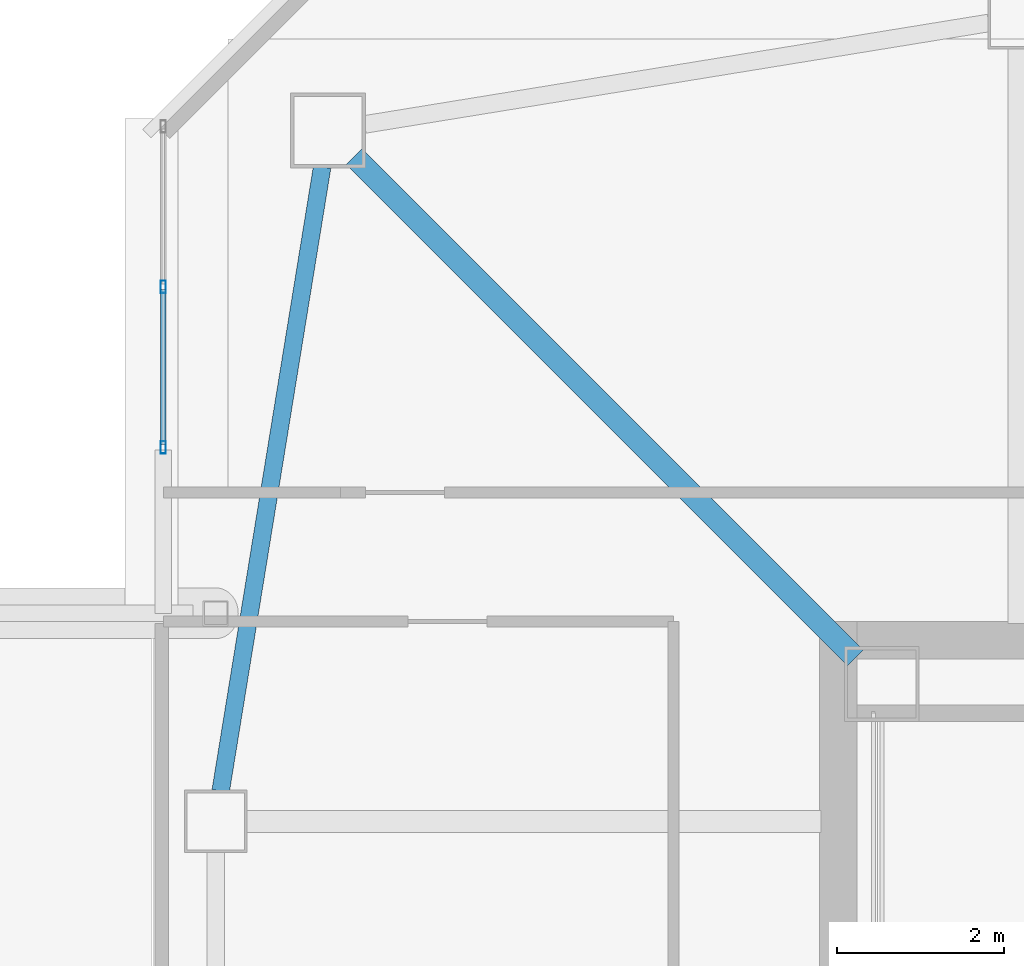
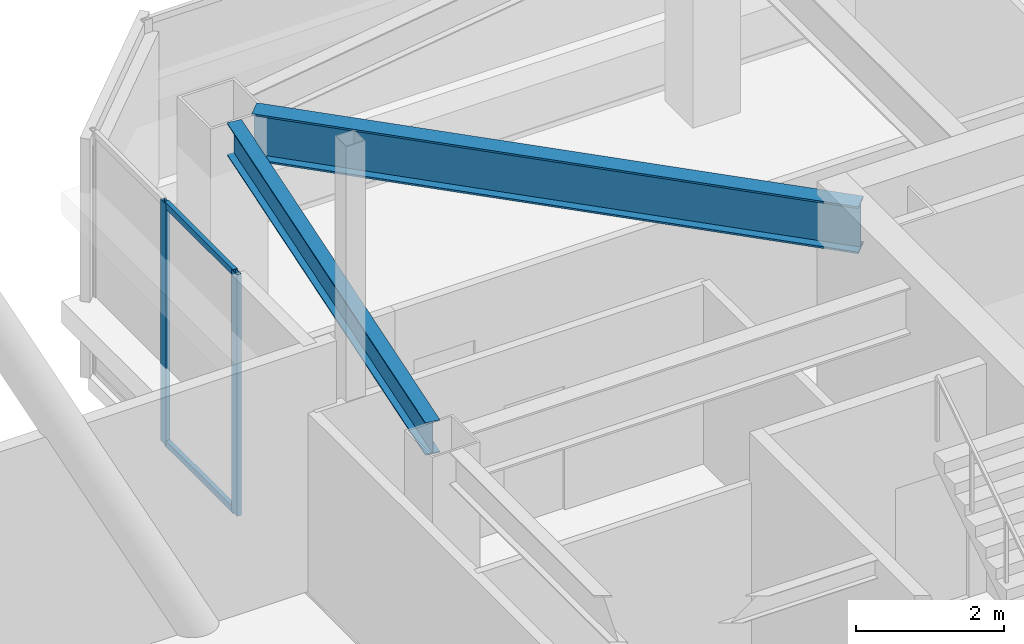
# One storey, part 9 of 53: 4 members, 2 beams, 1 element without a shape of its own.
"""IFC4 building model written with IfcOpenShell, lengths in metres."""

import ifcopenshell
import ifcopenshell.guid

model = None  # the IFC model being written
_history = None  # IfcOwnerHistory: only IFC2X3 demands one
_inside = {}  # id of a spatial element -> (the spatial element, [elements in it])
_under = {}  # id of a project, library or spatial element -> (it, [spatial elements below it])
_declared = {}  # id of a project -> (the project, [libraries it declares])
_typed = {}  # id of a type object -> (the type object, [elements of that type])
_made_of = {}  # id of a material, layer set ... -> (it, [elements and type objects made of it])


def new_model(schema):
    """Start an empty IFC model of exactly this schema.

    Asked for "IFC4X3", IfcOpenShell would pick the latest addendum, in which some entities
    have other attributes; the version numbers below select the first issue.
    IFC2X3 requires an IfcOwnerHistory on every rooted entity: one is made here for all.
    """
    global model, _history
    if schema == "IFC4X3":
        model = ifcopenshell.file(schema_version=(4, 3, 0, 0))
    else:
        model = ifcopenshell.file(schema=schema)
    _inside.clear()
    _under.clear()
    _declared.clear()
    _typed.clear()
    _made_of.clear()
    _history = None
    if model.schema == "IFC2X3":
        org = make("IfcOrganization", Name="unknown")
        user = make(
            "IfcPersonAndOrganization",
            ThePerson=make("IfcPerson", FamilyName="unknown"),
            TheOrganization=org,
        )
        app = make(
            "IfcApplication",
            ApplicationDeveloper=org,
            Version="unknown",
            ApplicationFullName="unknown",
            ApplicationIdentifier="unknown",
        )
        _history = make(
            "IfcOwnerHistory",
            OwningUser=user,
            OwningApplication=app,
            ChangeAction="ADDED",
            CreationDate=0,
        )
    return model


def make(cls, **values):
    """One entity of the class cls with the attributes given. An attribute that is None is left unset."""
    return model.create_entity(
        cls, **{name: value for name, value in values.items() if value is not None}
    )


def rooted(cls, **values):
    """An entity with a GlobalId (a new one), such as an element, a storey or a relation."""
    return make(cls, GlobalId=ifcopenshell.guid.new(), OwnerHistory=_history, **values)


def si_unit(unit_type, name, prefix=None):
    """IfcSIUnit, for example si_unit("LENGTHUNIT", "METRE", prefix="MILLI")."""
    return make("IfcSIUnit", UnitType=unit_type, Prefix=prefix, Name=name)


def assignment(units):
    """IfcUnitAssignment: the units of a project."""
    return None if units is None else make("IfcUnitAssignment", Units=units)


def point(xyz):
    """IfcCartesianPoint."""
    return None if xyz is None else make("IfcCartesianPoint", Coordinates=xyz)


def direction(xyz):
    """IfcDirection."""
    return None if xyz is None else make("IfcDirection", DirectionRatios=xyz)


def frame(location, z_axis=None, x_axis=None):
    """IfcAxis2Placement3D, a coordinate frame: its origin and axes. An axis left out is left unset."""
    return make(
        "IfcAxis2Placement3D",
        Location=point(location),
        Axis=direction(z_axis),
        RefDirection=direction(x_axis),
    )


def frame_2d(location, x_axis=None):
    """IfcAxis2Placement2D, a coordinate frame in the plane: its origin and x axis."""
    return make(
        "IfcAxis2Placement2D", Location=point(location), RefDirection=direction(x_axis)
    )


def origin():
    """The frame at (0, 0, 0) with its axes left unset."""
    return frame((0.0, 0.0, 0.0))


def origin_2d():
    """The frame at (0, 0) in the plane with its x axis left unset."""
    return frame_2d((0.0, 0.0))


def place(relative_to, where):
    """IfcLocalPlacement: puts the frame where relative to a parent placement (None: the world)."""
    return make(
        "IfcLocalPlacement", PlacementRelTo=relative_to, RelativePlacement=where
    )


def context(
    kind, dimensions, precision=None, world=None, true_north=None, identifier=None
):
    """IfcGeometricRepresentationContext, for example the 3D "Model" context."""
    return make(
        "IfcGeometricRepresentationContext",
        ContextIdentifier=identifier,
        ContextType=kind,
        CoordinateSpaceDimension=dimensions,
        Precision=precision,
        WorldCoordinateSystem=world,
        TrueNorth=true_north,
    )


def subcontext(parent, identifier, kind, view, scale=None):
    """IfcGeometricRepresentationSubContext, for example "Body" below "Model"."""
    return make(
        "IfcGeometricRepresentationSubContext",
        ContextIdentifier=identifier,
        ContextType=kind,
        ParentContext=parent,
        TargetScale=scale,
        TargetView=view,
    )


def project(units=None, contexts=None):
    """IfcProject with its units and contexts."""
    return rooted(
        "IfcProject",
        Name="project",
        RepresentationContexts=contexts,
        UnitsInContext=assignment(units),
    )


def spatial(cls, under=None, at=None, **own):
    """A site, building, storey or space (cls), placed at a placement, below another one or the project."""
    s = rooted(cls, ObjectPlacement=at, **own)
    if under is not None:
        _under.setdefault(under.id(), (under, []))[1].append(s)
    return s


def profile(cls, at=None, kind="AREA", **sizes):
    """A parametric profile (cls). Its sizes go by their IFC names, for example OverallWidth=200.0."""
    return make(cls, ProfileType=kind, Position=at, **sizes)


def hollow_rectangle(**sizes):
    """IfcRectangleHollowProfileDef."""
    return profile("IfcRectangleHollowProfileDef", **sizes)


def i_section(**sizes):
    """IfcIShapeProfileDef."""
    return profile("IfcIShapeProfileDef", **sizes)


def extrude(swept, where, along, depth):
    """IfcExtrudedAreaSolid: the profile swept, set in the frame where, extruded along a direction by depth."""
    return make(
        "IfcExtrudedAreaSolid",
        SweptArea=swept,
        Position=where,
        ExtrudedDirection=direction(along),
        Depth=depth,
    )


def shape(context_of_items, identifier, shape_type, items):
    """IfcShapeRepresentation: the items that make up one representation, for example the "Body"."""
    return make(
        "IfcShapeRepresentation",
        ContextOfItems=context_of_items,
        RepresentationIdentifier=identifier,
        RepresentationType=shape_type,
        Items=items,
    )


def material(Name=None, Category=None):
    """IfcMaterial."""
    return make("IfcMaterial", Name=Name, Category=Category)


def material_profile(
    of_material, cross_section, Name=None, Category=None, Priority=None
):
    """IfcMaterialProfile: a cross section and its material."""
    return make(
        "IfcMaterialProfile",
        Name=Name,
        Material=of_material,
        Profile=cross_section,
        Priority=Priority,
        Category=Category,
    )


def profile_set(profiles, Name=None, composite=None):
    """IfcMaterialProfileSet."""
    return make(
        "IfcMaterialProfileSet",
        Name=Name,
        MaterialProfiles=profiles,
        CompositeProfile=composite,
    )


def made_of(thing, what):
    """Note that an element or type object is made of a material, layer set ...; save() writes the relation."""
    if what is not None:
        _made_of.setdefault(what.id(), (what, []))[1].append(thing)
    return thing


def type_object(cls, material=None, **own):
    """A type object (cls), such as IfcWallType, which elements share."""
    return made_of(rooted(cls, **own), material)


def element(
    cls,
    number,
    at=None,
    inside=None,
    cuts=None,
    type_object=None,
    material=None,
    context=None,
    identifier="Body",
    shape_type=None,
    held_by="IfcProductDefinitionShape",
    body=None,
    shapes=None,
    **own,
):
    """One element of the class cls, such as IfcWall. Its Tag is "e" and its number.

    at: its placement. inside: the storey or other place that contains it. cuts: it is an
    opening in that element (IfcRelVoidsElement). A single representation is given by context,
    identifier, shape_type and body (its items); several are given by shapes. held_by: the class
    of the entity that holds the representations. save() writes the other relations.
    """
    e = rooted(cls, Tag="e%d" % number, ObjectPlacement=at, **own)
    if body is not None:
        shapes = [shape(context, identifier, shape_type, body)]
    if shapes is not None:
        e.Representation = make(held_by, Representations=shapes)
    if inside is not None:
        _inside.setdefault(inside.id(), (inside, []))[1].append(e)
    if cuts is not None:
        rooted(
            "IfcRelVoidsElement", RelatingBuildingElement=cuts, RelatedOpeningElement=e
        )
    if type_object is not None:
        _typed.setdefault(type_object.id(), (type_object, []))[1].append(e)
    return made_of(e, material)


def aggregate(whole, parts):
    """IfcRelAggregates: a whole, such as a stair, and the parts it consists of."""
    return rooted("IfcRelAggregates", RelatingObject=whole, RelatedObjects=parts)


def save(model, path):
    """Write the relations noted so far, then the file.

    IfcRelAggregates (storeys below a building ...), IfcRelContainedInSpatialStructure (elements
    in a storey), IfcRelDefinesByType, IfcRelAssociatesMaterial and IfcRelDeclares: one each for
    every whole, place, type object, material and project.
    """
    for whole, parts in _under.values():
        aggregate(whole, parts)
    for where, things in _inside.values():
        rooted(
            "IfcRelContainedInSpatialStructure",
            RelatedElements=things,
            RelatingStructure=where,
        )
    for kind, things in _typed.values():
        rooted("IfcRelDefinesByType", RelatedObjects=things, RelatingType=kind)
    for what, things in _made_of.values():
        rooted("IfcRelAssociatesMaterial", RelatedObjects=things, RelatingMaterial=what)
    for by, libraries in _declared.values():
        rooted("IfcRelDeclares", RelatingContext=by, RelatedDefinitions=libraries)
    model.write(path)


model = new_model("IFC4")

# Units and contexts
model_context = context("Model", 3, precision=1e-05, world=origin(), true_north=direction((0.0, 1.0)))
body_context = subcontext(model_context, "Body", "Model", "MODEL_VIEW")
ifc_project = project(units=[si_unit("LENGTHUNIT", "METRE"), si_unit("AREAUNIT", "SQUARE_METRE"), si_unit("VOLUMEUNIT", "CUBIC_METRE"), si_unit("PLANEANGLEUNIT", "RADIAN"), si_unit("MASSUNIT", "GRAM", prefix="KILO")], contexts=[model_context])

# Site, building, storey
site_placement = place(None, origin())
site = spatial("IfcSite", under=ifc_project, at=site_placement, CompositionType="ELEMENT")
building_placement = place(site_placement, origin())
building = spatial("IfcBuilding", under=site, at=building_placement, Name="Tashvorn Skyway Center", CompositionType="ELEMENT")
storey_placement = place(building_placement, frame((0.0, 0.0, 255.39990234375)))
storey = spatial("IfcBuildingStorey", under=building, at=storey_placement, Name="L69", CompositionType="ELEMENT", Elevation=255.39990234375)

# Beams
ifc_material_1 = material(Name="Steel ASTM A992 Grade 50", Category="steel")
ifc_material_profile_1 = material_profile(ifc_material_1, i_section(OverallWidth=0.26708984375, OverallDepth=0.779052734375, WebThickness=0.0166015625, FlangeThickness=0.030029296875, at=origin_2d()), Name="W30X148")
ifc_profile_set_1 = profile_set([ifc_material_profile_1], Name="Steel ASTM A992 Grade 50")
beam_type_1 = type_object("IfcBeamType", Name="BM-BEAM-W30X148", PredefinedType="BEAM", material=ifc_profile_set_1)
beam_1_placement = place(storey_placement, frame((28.61474609375, 45.38525390625, 3.390625), z_axis=(0.707106781187, -0.707106781187, 0.0), x_axis=(0.707106781187, 0.707106781187, 0.0)))
element("IfcBeam", 1, at=beam_1_placement, inside=storey, type_object=beam_type_1, Name="Tower 1 L69 Primary Floor Girder MC-NW", PredefinedType="BEAM", context=body_context, shape_type="SweptSolid", body=[
    extrude(i_section(OverallWidth=0.26708984375, OverallDepth=0.779052734375, WebThickness=0.0166015625, FlangeThickness=0.030029296875, at=origin_2d()), origin(), (0.0, 0.0, 1.0), 8.514404296875),
])
ifc_material_profile_2 = material_profile(ifc_material_1, i_section(OverallWidth=0.2109375, OverallDepth=0.5390625, WebThickness=0.01171875, FlangeThickness=0.018798828125, at=origin_2d()), Name="W21X73")
ifc_profile_set_2 = profile_set([ifc_material_profile_2], Name="Steel ASTM A992 Grade 50")
beam_type_2 = type_object("IfcBeamType", Name="BM-SPANDREL-W21X73", PredefinedType="SPANDREL", material=ifc_profile_set_2)
beam_2_placement = place(storey_placement, frame((28.228515625, 45.2607421875, 3.510498046875), z_axis=(-0.160519005885, -0.987032749583, 0.0), x_axis=(0.987032749583, -0.160519005885, 0.0)))
element("IfcBeam", 2, at=beam_2_placement, inside=storey, type_object=beam_type_2, Name="Tower 1 L69 Spandrel Beam 10", PredefinedType="SPANDREL", context=body_context, shape_type="SweptSolid", body=[
    extrude(i_section(OverallWidth=0.2109375, OverallDepth=0.5390625, WebThickness=0.01171875, FlangeThickness=0.018798828125, at=origin_2d()), origin(), (0.0, 0.0, 1.0), 7.593994140625),
])

# Curtain wall, members
ifc_material_2 = material(Name="Thermally broken bronze-anodized aluminium 6063-T6", Category="aluminium")
curtain_wall_type = type_object("IfcCurtainWallType", Name="CW-CW-SKY", PredefinedType="NOTDEFINED", material=ifc_material_2)
curtain_wall_placement = place(storey_placement, origin())
curtain_wall = element("IfcCurtainWall", 3, at=curtain_wall_placement, inside=storey, type_object=curtain_wall_type, Name="Tower 1 L69 West Curtain Wall B Glazing Group 1", PredefinedType="NOTDEFINED")
ifc_material_profile_3 = material_profile(ifc_material_2, hollow_rectangle(XDim=0.06494140625, YDim=0.14990234375, WallThickness=0.00390625, at=origin_2d()), Name="ALU-MULL-65x150")
ifc_profile_set_3 = profile_set([ifc_material_profile_3], Name="Thermally broken bronze-anodized aluminium 6063-T6")
member_type_1 = type_object("IfcMemberType", Name="CWM-CW-SKY", PredefinedType="MULLION", material=ifc_profile_set_3)
member_1_placement = place(storey_placement, frame((26.320068359375, 41.892578125, 0.0), z_axis=(0.0, 0.0, 1.0), x_axis=(-1.0, 0.0, 0.0)))
member_1 = element("IfcMember", 4, at=member_1_placement, type_object=member_type_1, Name="CW-SKY mullion 1", PredefinedType="MULLION", context=body_context, shape_type="SweptSolid", body=[
    extrude(hollow_rectangle(XDim=0.06494140625, YDim=0.14990234375, WallThickness=0.00390625, at=origin_2d()), origin(), (0.0, 0.0, 1.0), 4.0),
])
member_2_placement = place(storey_placement, frame((26.320068359375, 43.820068359375, 0.0), z_axis=(0.0, 0.0, 1.0), x_axis=(-1.0, 0.0, 0.0)))
member_2 = element("IfcMember", 5, at=member_2_placement, type_object=member_type_1, Name="CW-SKY mullion 2", PredefinedType="MULLION", context=body_context, shape_type="SweptSolid", body=[
    extrude(hollow_rectangle(XDim=0.06494140625, YDim=0.14990234375, WallThickness=0.00390625, at=origin_2d()), origin(), (0.0, 0.0, 1.0), 4.0),
])
ifc_material_profile_4 = material_profile(ifc_material_2, hollow_rectangle(XDim=0.06494140625, YDim=0.10498046875, WallThickness=0.00390625, at=origin_2d()), Name="ALU-TRAN-65x105")
ifc_profile_set_4 = profile_set([ifc_material_profile_4], Name="Thermally broken bronze-anodized aluminium 6063-T6")
member_type_2 = type_object("IfcMemberType", Name="CWT-CW-SKY", PredefinedType="USERDEFINED", material=ifc_profile_set_4)
member_3_placement = place(storey_placement, frame((26.320068359375, 41.925048828125, 0.03271484375), z_axis=(0.0, 1.0, 0.0), x_axis=(-1.0, 0.0, 0.0)))
member_3 = element("IfcMember", 6, at=member_3_placement, type_object=member_type_2, Name="CW-SKY transom 1.1", ObjectType="TRANSOM", PredefinedType="USERDEFINED", context=body_context, shape_type="SweptSolid", body=[
    extrude(hollow_rectangle(XDim=0.06494140625, YDim=0.10498046875, WallThickness=0.00390625, at=origin_2d()), origin(), (0.0, 0.0, 1.0), 1.862548828125),
])
member_4_placement = place(storey_placement, frame((26.320068359375, 41.925048828125, 3.967529296875), z_axis=(0.0, 1.0, 0.0), x_axis=(-1.0, 0.0, 0.0)))
member_4 = element("IfcMember", 7, at=member_4_placement, type_object=member_type_2, Name="CW-SKY transom 1.2", ObjectType="TRANSOM", PredefinedType="USERDEFINED", context=body_context, shape_type="SweptSolid", body=[
    extrude(hollow_rectangle(XDim=0.06494140625, YDim=0.10498046875, WallThickness=0.00390625, at=origin_2d()), origin(), (0.0, 0.0, 1.0), 1.862548828125),
])
aggregate(curtain_wall, [member_1, member_2, member_3, member_4])

save(model, "model.ifc")
